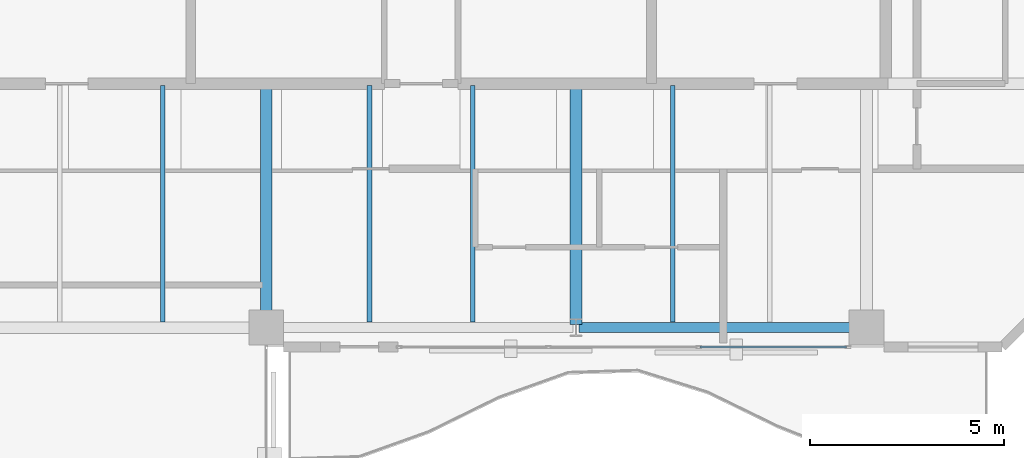
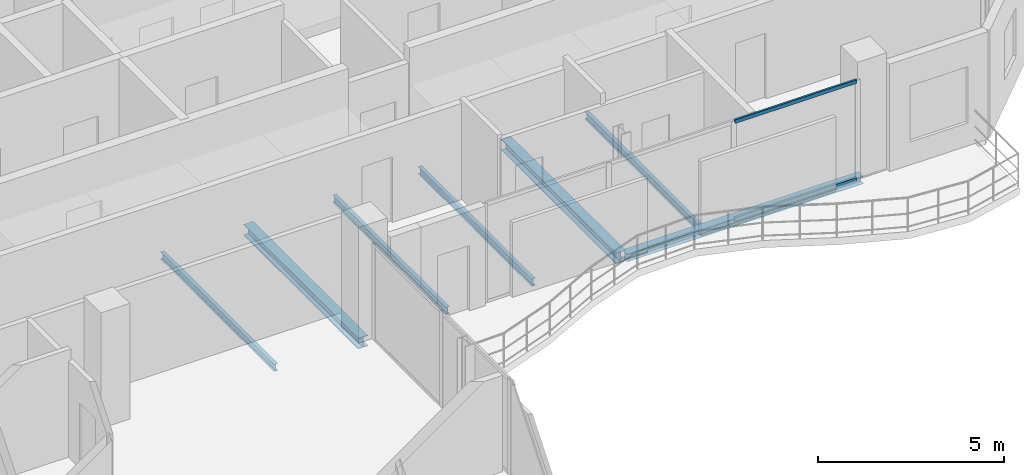
# One storey, part 13 of 23: 7 beams, 2 members, 1 element without a shape of its own.
"""IFC4 building model written with IfcOpenShell, lengths in metres."""

from ifc_helpers import new_model, si_unit, direction, frame, origin, origin_2d, place, context, subcontext, project, spatial, hollow_rectangle, i_section, extrude, material, layer, layer_set, material_profile, profile_set, type_object, element, aggregate, save


model = new_model("IFC4")

# Units and contexts
model_context = context("Model", 3, precision=1e-05, world=origin(), true_north=direction((0.0, 1.0)))
body_context = subcontext(model_context, "Body", "Model", "MODEL_VIEW")
ifc_project = project(units=[si_unit("LENGTHUNIT", "METRE"), si_unit("AREAUNIT", "SQUARE_METRE"), si_unit("VOLUMEUNIT", "CUBIC_METRE"), si_unit("PLANEANGLEUNIT", "RADIAN"), si_unit("MASSUNIT", "GRAM", prefix="KILO")], contexts=[model_context])

# Site, building, storey
site_placement = place(None, origin())
site = spatial("IfcSite", under=ifc_project, at=site_placement, CompositionType="ELEMENT")
building_placement = place(site_placement, origin())
building = spatial("IfcBuilding", under=site, at=building_placement, Name="Catumbela Crestline Tower", CompositionType="ELEMENT")
storey_placement = place(building_placement, frame((0.0, 0.0, 245.0)))
storey = spatial("IfcBuildingStorey", under=building, at=storey_placement, Name="L63", CompositionType="ELEMENT", Elevation=245.0)

# Beams
ifc_material_1 = material(Name="Structural steel S355J2", Category="steel")
ifc_material_profile_1 = material_profile(ifc_material_1, i_section(OverallWidth=0.3, OverallDepth=0.36, WebThickness=0.0125, FlangeThickness=0.0225, FilletRadius=0.027, at=origin_2d()), Name="HEB 360")
ifc_profile_set_1 = profile_set([ifc_material_profile_1], Name="Structural steel S355J2")
beam_type_1 = type_object("IfcBeamType", Name="BG-HEB360", PredefinedType="BEAM", material=ifc_profile_set_1)
for number, where, z_axis, x_axis, name in (
    (1, (24.0, 24.58, -0.44), (0.0, 1.0, 0.0), (-1.0, 0.0, 0.0), "L63 Beam BM-L63-SNS16"),
    (2, (32.0, 24.58, -0.44), (0.0, 1.0, 0.0), (-1.0, 0.0, 0.0), "L63 Beam BM-L63-SNS17"),
):
    element("IfcBeam", number, at=place(storey_placement, frame(where, z_axis=z_axis, x_axis=x_axis)), inside=storey, type_object=beam_type_1, Name=name, PredefinedType="BEAM", context=body_context, shape_type="SweptSolid", body=[
        extrude(i_section(OverallWidth=0.3, OverallDepth=0.36, WebThickness=0.0125, FlangeThickness=0.0225, FilletRadius=0.027, at=origin_2d()), origin(), (0.0, 0.0, 1.0), 6.17),
    ])
ifc_material_profile_2 = material_profile(ifc_material_1, i_section(OverallWidth=0.12, OverallDepth=0.24, WebThickness=0.0062, FlangeThickness=0.0098, FilletRadius=0.015, at=origin_2d()), Name="IPE 240")
ifc_profile_set_2 = profile_set([ifc_material_profile_2], Name="Structural steel S355J2")
beam_type_2 = type_object("IfcBeamType", Name="BJ-IPE240", PredefinedType="JOIST", material=ifc_profile_set_2)
for number, where, z_axis, x_axis, name in (
    (3, (21.333, 24.647, -0.38), (0.0, 1.0, 0.0), (-1.0, 0.0, 0.0), "L63 Joist JS-L63-SP22"),
    (4, (26.667, 24.647, -0.38), (0.0, 1.0, 0.0), (-1.0, 0.0, 0.0), "L63 Joist JS-L63-SP23"),
    (5, (29.333, 24.647, -0.38), (0.0, 1.0, 0.0), (-1.0, 0.0, 0.0), "L63 Joist JS-L63-SP24"),
    (6, (34.5, 24.647, -0.38), (0.0, 1.0, 0.0), (-1.0, 0.0, 0.0), "L63 Joist JS-L63-SP25"),
):
    element("IfcBeam", number, at=place(storey_placement, frame(where, z_axis=z_axis, x_axis=x_axis)), inside=storey, type_object=beam_type_2, Name=name, PredefinedType="JOIST", context=body_context, shape_type="SweptSolid", body=[
        extrude(i_section(OverallWidth=0.12, OverallDepth=0.24, WebThickness=0.0062, FlangeThickness=0.0098, FilletRadius=0.015, at=origin_2d()), origin(), (0.0, 0.0, 1.0), 6.103),
    ])
ifc_material_profile_3 = material_profile(ifc_material_1, i_section(OverallWidth=0.26, OverallDepth=0.25, WebThickness=0.0075, FlangeThickness=0.0125, FilletRadius=0.024, at=origin_2d()), Name="HEA 260")
ifc_profile_set_3 = profile_set([ifc_material_profile_3], Name="Structural steel S355J2")
beam_type_3 = type_object("IfcBeamType", Name="BS-HEA260", PredefinedType="SPANDREL", material=ifc_profile_set_3)
beam_placement = place(storey_placement, frame((32.08, 24.5, -0.385), z_axis=(1.0, 0.0, 0.0), x_axis=(0.0, 1.0, 0.0)))
element("IfcBeam", 7, at=beam_placement, inside=storey, type_object=beam_type_3, Name="L63 Spandrel SP-L63-S05", PredefinedType="SPANDREL", context=body_context, shape_type="SweptSolid", body=[
    extrude(i_section(OverallWidth=0.26, OverallDepth=0.25, WebThickness=0.0075, FlangeThickness=0.0125, FilletRadius=0.024, at=origin_2d()), origin(), (0.0, 0.0, 1.0), 7.34),
])

# Curtain wall, members
ifc_material_2 = material(Name="Aluminium alloy AW-6060-T66", Category="aluminium")
ifc_layer = layer(ifc_material_2, 0.18, Name="Aluminium alloy AW-6060-T66")
ifc_layer_set = layer_set([ifc_layer], Name="Aluminium alloy AW-6060-T66")
curtain_wall_type = type_object("IfcCurtainWallType", Name="CWU-Z4", PredefinedType="USERDEFINED", material=ifc_layer_set)
curtain_wall_placement = place(storey_placement, origin())
curtain_wall = element("IfcCurtainWall", 8, at=curtain_wall_placement, inside=storey, type_object=curtain_wall_type, Name="L63 Unitised Curtain Wall CW-L63-E3S2", ObjectType="UNITISED", PredefinedType="USERDEFINED")
ifc_material_profile_4 = material_profile(ifc_material_2, hollow_rectangle(XDim=0.06, YDim=0.12, WallThickness=0.0035, at=origin_2d()), Name="ALU 120x60x3.5")
ifc_profile_set_4 = profile_set([ifc_material_profile_4], Name="Aluminium alloy AW-6060-T66")
member_type = type_object("IfcMemberType", Name="TRN-120X60", PredefinedType="USERDEFINED", material=ifc_profile_set_4)
member_1_placement = place(storey_placement, frame((35.1992, 24.0, 0.03), z_axis=(1.0, 0.0, 0.0), x_axis=(0.0, 1.0, 0.0)))
member_1 = element("IfcMember", 9, at=member_1_placement, type_object=member_type, Name="CWU-Z4 transom 3.1", ObjectType="TRANSOM", PredefinedType="USERDEFINED", context=body_context, shape_type="SweptSolid", body=[
    extrude(hollow_rectangle(XDim=0.06, YDim=0.12, WallThickness=0.0035, at=origin_2d()), origin(), (0.0, 0.0, 1.0), 3.7858),
])
member_2_placement = place(storey_placement, frame((35.1992, 24.0, 3.24), z_axis=(1.0, 0.0, 0.0), x_axis=(0.0, 1.0, 0.0)))
member_2 = element("IfcMember", 10, at=member_2_placement, type_object=member_type, Name="CWU-Z4 transom 3.2", ObjectType="TRANSOM", PredefinedType="USERDEFINED", context=body_context, shape_type="SweptSolid", body=[
    extrude(hollow_rectangle(XDim=0.06, YDim=0.12, WallThickness=0.0035, at=origin_2d()), origin(), (0.0, 0.0, 1.0), 3.7858),
])
aggregate(curtain_wall, [member_1, member_2])

save(model, "model.ifc")
